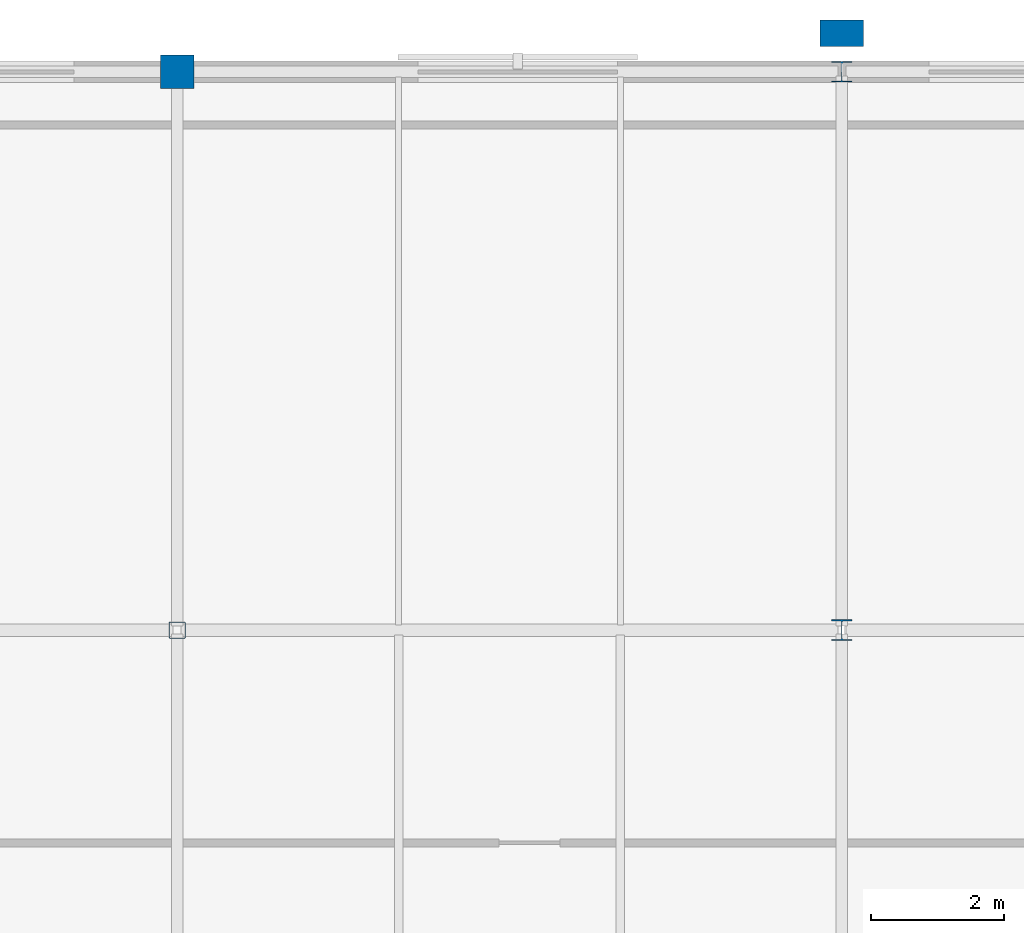
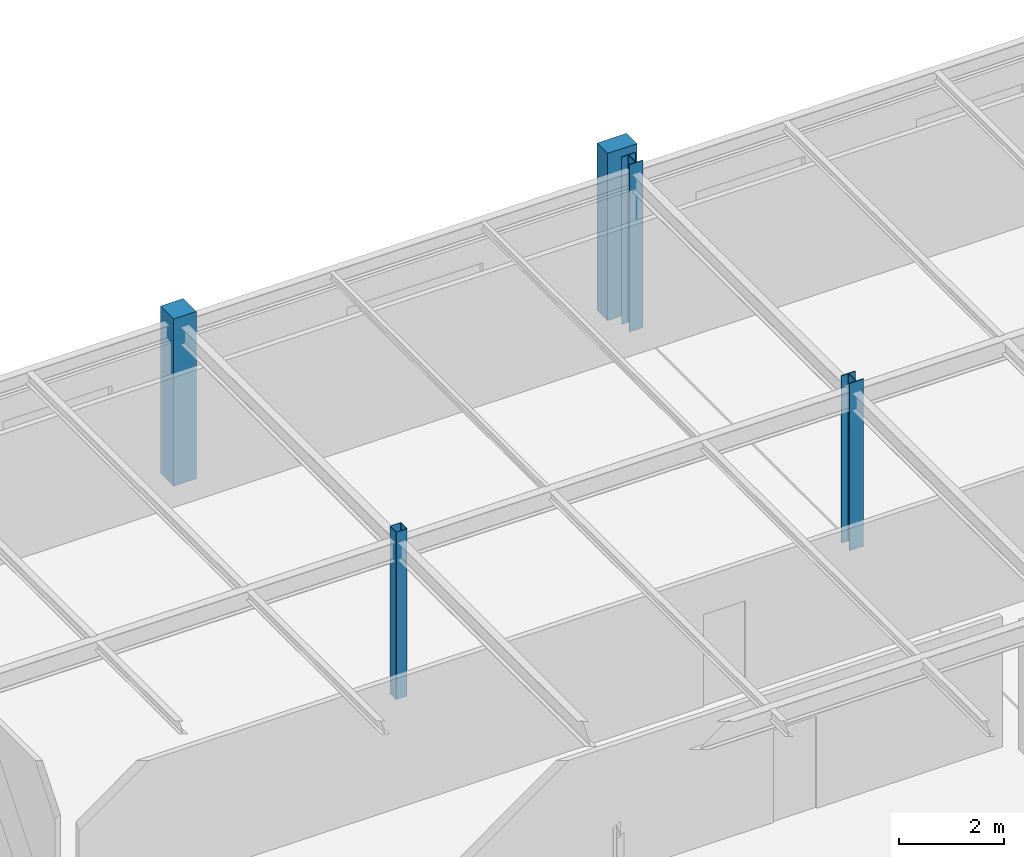
# One storey, part 21 of 98: 5 columns.
"""IFC4 building model written with IfcOpenShell, lengths in metres."""

from ifc_helpers import new_model, si_unit, derived_unit, direction, frame, origin, origin_2d_with_axis, place, context, subcontext, project, spatial, rectangle, hollow_rectangle, i_section, extrude, material, material_profile, profile_set, type_object, element, save


model = new_model("IFC4")

# Units and contexts
model_context = context("Model", 3, precision=1e-05, world=origin(), true_north=direction((0.0, 1.0)))
body_context = subcontext(model_context, "Body", "Model", "MODEL_VIEW")
ifc_project = project(units=[si_unit("LENGTHUNIT", "METRE"), si_unit("AREAUNIT", "SQUARE_METRE"), si_unit("VOLUMEUNIT", "CUBIC_METRE"), si_unit("PLANEANGLEUNIT", "RADIAN"), si_unit("MASSUNIT", "GRAM", prefix="KILO"), derived_unit("THERMALTRANSMITTANCEUNIT", [(si_unit("POWERUNIT", "WATT"), 1), (si_unit("LENGTHUNIT", "METRE"), -2), (si_unit("THERMODYNAMICTEMPERATUREUNIT", "KELVIN"), -1)])], contexts=[model_context])

# Site, building, storey
site_placement = place(None, origin())
site = spatial("IfcSite", under=ifc_project, at=site_placement, CompositionType="ELEMENT")
building_placement = place(site_placement, origin())
building = spatial("IfcBuilding", under=site, at=building_placement, Name="Cinnabar Yard Market Hall", CompositionType="ELEMENT")
storey_placement = place(building_placement, frame((0.0, 0.0, 4.5)))
storey = spatial("IfcBuildingStorey", under=building, at=storey_placement, Name="L01", CompositionType="ELEMENT", Elevation=4.5)

# Columns
ifc_material_1 = material(Name="Steel Grade 300 (300 MPa)", Category="steel")
ifc_material_profile_1 = material_profile(ifc_material_1, i_section(OverallWidth=0.307373046875, OverallDepth=0.314697265625, WebThickness=0.011962890625, FlangeThickness=0.018798828125, FilletRadius=0.0166015625, at=origin_2d_with_axis()), Name="310UC118")
ifc_profile_set_1 = profile_set([ifc_material_profile_1], Name="Steel Grade 300 (300 MPa)")
column_type_1 = type_object("IfcColumnType", Name="COL-C08", PredefinedType="COLUMN", material=ifc_profile_set_1)
column_1_placement = place(storey_placement, frame((86.0, 129.60009765625, 0.0), z_axis=(0.0, 0.0, 1.0), x_axis=(1.0, 0.0, 0.0)))
element("IfcColumn", 1, at=column_1_placement, inside=storey, type_object=column_type_1, Name="Wing Column V3-03-04 L01", PredefinedType="COLUMN", context=body_context, shape_type="SweptSolid", body=[
    extrude(i_section(OverallWidth=0.307373046875, OverallDepth=0.314697265625, WebThickness=0.011962890625, FlangeThickness=0.018798828125, FilletRadius=0.0166015625, at=origin_2d_with_axis()), origin(), (0.0, 0.0, 1.0), 3.89990234375),
])
ifc_material_profile_2 = material_profile(ifc_material_1, i_section(OverallWidth=0.304931640625, OverallDepth=0.30810546875, WebThickness=0.010009765625, FlangeThickness=0.015380859375, FilletRadius=0.0166015625, at=origin_2d_with_axis()), Name="310UC96.8")
ifc_profile_set_2 = profile_set([ifc_material_profile_2], Name="Steel Grade 300 (300 MPa)")
column_type_2 = type_object("IfcColumnType", Name="COL-C09E", PredefinedType="COLUMN", material=ifc_profile_set_2)
column_2_placement = place(storey_placement, frame((86.0, 138.0, 0.0), z_axis=(0.0, 0.0, 1.0), x_axis=(1.0, 0.0, 0.0)))
element("IfcColumn", 2, at=column_2_placement, inside=storey, type_object=column_type_2, Name="Wing Column V3-03-05 L01", PredefinedType="COLUMN", context=body_context, shape_type="SweptSolid", body=[
    extrude(i_section(OverallWidth=0.304931640625, OverallDepth=0.30810546875, WebThickness=0.010009765625, FlangeThickness=0.015380859375, FilletRadius=0.0166015625, at=origin_2d_with_axis()), origin(), (0.0, 0.0, 1.0), 3.89990234375),
])
ifc_material_2 = material(Name="Cold-formed steel C350L0", Category="steel")
ifc_material_profile_3 = material_profile(ifc_material_2, hollow_rectangle(XDim=0.25, YDim=0.25, WallThickness=0.009033203125, InnerFilletRadius=0.009033203125, OuterFilletRadius=0.01806640625, at=origin_2d_with_axis()), Name="250x250x9.0SHS")
ifc_profile_set_3 = profile_set([ifc_material_profile_3], Name="Cold-formed steel C350L0")
column_type_3 = type_object("IfcColumnType", Name="COL-C20", PredefinedType="COLUMN", material=ifc_profile_set_3)
column_3_placement = place(storey_placement, frame((76.0, 129.60009765625, 0.0), z_axis=(0.0, 0.0, 1.0), x_axis=(1.0, 0.0, 0.0)))
element("IfcColumn", 3, at=column_3_placement, inside=storey, type_object=column_type_3, Name="Wing Column V3-02-04 L01", PredefinedType="COLUMN", context=body_context, shape_type="SweptSolid", body=[
    extrude(hollow_rectangle(XDim=0.25, YDim=0.25, WallThickness=0.009033203125, InnerFilletRadius=0.009033203125, OuterFilletRadius=0.01806640625, at=origin_2d_with_axis()), origin(), (0.0, 0.0, 1.0), 3.89990234375),
])
ifc_material_3 = material(Name="Concrete 40 MPa", Category="concrete")
ifc_material_profile_4 = material_profile(ifc_material_3, rectangle(XDim=0.64990234375, YDim=0.39990234375, at=origin_2d_with_axis()), Name="RC-650x400")
ifc_profile_set_4 = profile_set([ifc_material_profile_4], Name="Concrete 40 MPa")
column_type_4 = type_object("IfcColumnType", Name="COL-PIL2E", PredefinedType="PILASTER", material=ifc_profile_set_4)
column_4_placement = place(storey_placement, frame((86.0, 138.580078125, 0.0), z_axis=(0.0, 0.0, 1.0), x_axis=(1.0, 0.0, 0.0)))
element("IfcColumn", 4, at=column_4_placement, inside=storey, type_object=column_type_4, Name="Engaged Pilaster 08 L01", PredefinedType="PILASTER", context=body_context, shape_type="SweptSolid", body=[
    extrude(rectangle(XDim=0.64990234375, YDim=0.39990234375, at=origin_2d_with_axis()), origin(), (0.0, 0.0, 1.0), 3.89990234375),
])
ifc_material_profile_5 = material_profile(ifc_material_3, rectangle(XDim=0.5, YDim=0.5, at=origin_2d_with_axis()), Name="RC-500x500")
ifc_profile_set_5 = profile_set([ifc_material_profile_5], Name="Concrete 40 MPa")
column_type_5 = type_object("IfcColumnType", Name="COL-RC1E", PredefinedType="COLUMN", material=ifc_profile_set_5)
column_5_placement = place(storey_placement, frame((76.0, 138.0, 0.0), z_axis=(0.0, 0.0, 1.0), x_axis=(1.0, 0.0, 0.0)))
element("IfcColumn", 5, at=column_5_placement, inside=storey, type_object=column_type_5, Name="Wing Column V3-02-05 L01", PredefinedType="COLUMN", context=body_context, shape_type="SweptSolid", body=[
    extrude(rectangle(XDim=0.5, YDim=0.5, at=origin_2d_with_axis()), origin(), (0.0, 0.0, 1.0), 3.89990234375),
])

save(model, "model.ifc")
